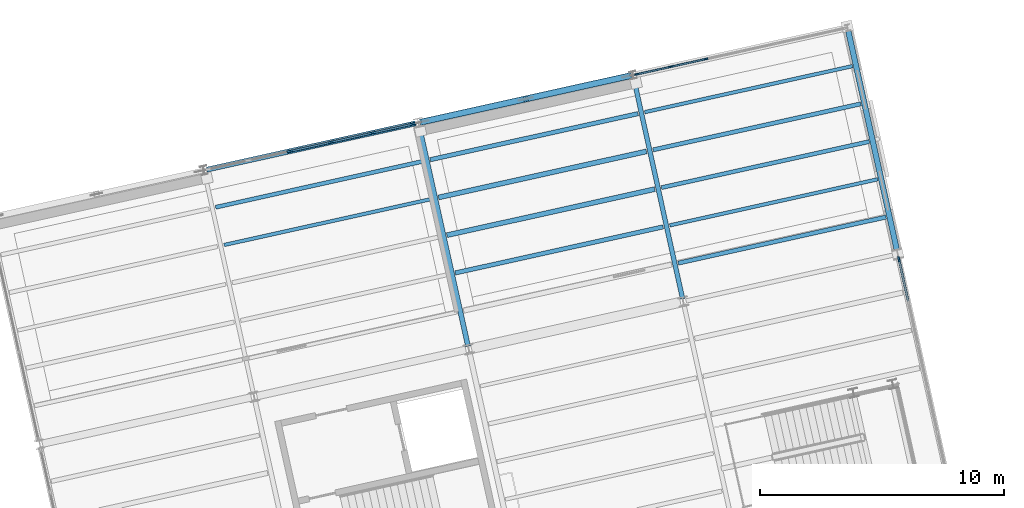
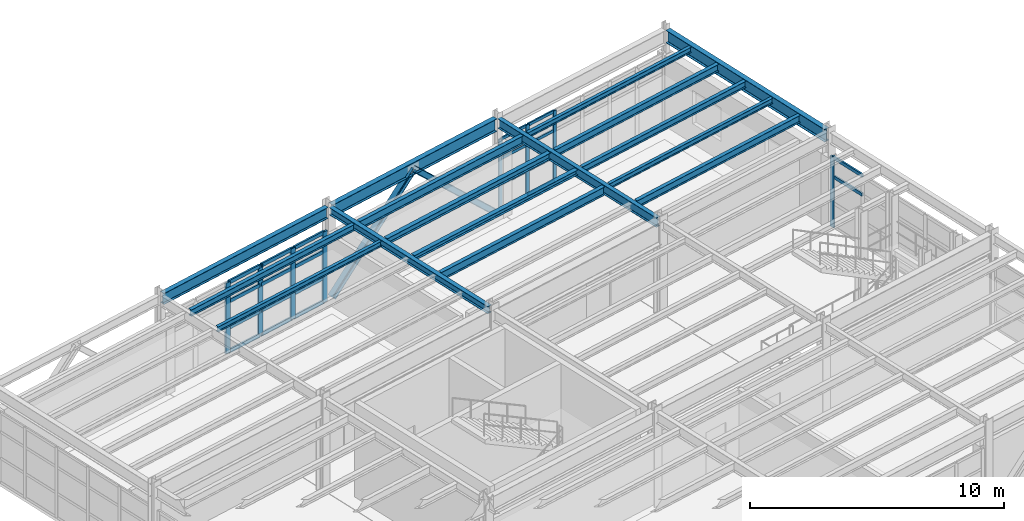
# One storey, part 62 of 109: 32 members, 16 beams, 3 elements without a shape of their own.
"""IFC4 building model written with IfcOpenShell, lengths in metres."""

from ifc_helpers import new_model, si_unit, direction, frame, origin, origin_2d, place, context, subcontext, project, spatial, rectangle, i_section, extrude, material, layer, layer_set, material_profile, profile_set, type_object, element, aggregate, save


model = new_model("IFC4")

# Units and contexts
model_context = context("Model", 3, precision=1e-05, world=origin(), true_north=direction((0.0, 1.0)))
body_context = subcontext(model_context, "Body", "Model", "MODEL_VIEW")
ifc_project = project(units=[si_unit("LENGTHUNIT", "METRE"), si_unit("AREAUNIT", "SQUARE_METRE"), si_unit("VOLUMEUNIT", "CUBIC_METRE"), si_unit("PLANEANGLEUNIT", "RADIAN"), si_unit("MASSUNIT", "GRAM", prefix="KILO")], contexts=[model_context])

# Site, building, storey
site_placement = place(None, origin())
site = spatial("IfcSite", under=ifc_project, at=site_placement, CompositionType="ELEMENT")
building_placement = place(site_placement, origin())
building = spatial("IfcBuilding", under=site, at=building_placement, Name="Vireo Bluff Cable Station", CompositionType="ELEMENT")
storey_placement = place(building_placement, frame((0.0, 0.0, 4.800048828125)))
storey = spatial("IfcBuildingStorey", under=building, at=storey_placement, Name="L01", CompositionType="ELEMENT", Elevation=4.800048828125)

# Beams
ifc_material_1 = material(Name="Steel ASTM A992 Gr. 50", Category="steel")
ifc_material_profile_1 = material_profile(ifc_material_1, i_section(OverallWidth=0.2041015625, OverallDepth=0.35009765625, WebThickness=0.008544921875, FlangeThickness=0.01513671875, FilletRadius=0.010009765625, at=origin_2d()), Name="W14X48")
ifc_profile_set_1 = profile_set([ifc_material_profile_1], Name="Steel ASTM A992 Gr. 50")
beam_type_1 = type_object("IfcBeamType", Name="BM-W14X48", PredefinedType="BEAM", material=ifc_profile_set_1)
beam_1_placement = place(storey_placement, frame((139.43505859375, 96.562744140625, 4.364990234375), z_axis=(-0.216455863908, 0.976292404447, 0.0), x_axis=(-0.976292404447, -0.216455863908, 0.0)))
element("IfcBeam", 1, at=beam_1_placement, inside=storey, type_object=beam_type_1, Name="V2 L01 beam 464", PredefinedType="BEAM", context=body_context, shape_type="SweptSolid", body=[
    extrude(i_section(OverallWidth=0.2041015625, OverallDepth=0.35009765625, WebThickness=0.008544921875, FlangeThickness=0.01513671875, FilletRadius=0.010009765625, at=origin_2d()), origin(), (0.0, 0.0, 1.0), 9.260009765625),
])
ifc_material_profile_2 = material_profile(ifc_material_1, i_section(OverallWidth=0.19091796875, OverallDepth=0.45703125, WebThickness=0.009033203125, FlangeThickness=0.014404296875, FilletRadius=0.011962890625, at=origin_2d()), Name="W18X50")
ifc_profile_set_2 = profile_set([ifc_material_profile_2], Name="Steel ASTM A992 Gr. 50")
beam_type_2 = type_object("IfcBeamType", Name="BM-W18X50", PredefinedType="BEAM", material=ifc_profile_set_2)
beam_2_placement = place(storey_placement, frame((148.2216796875, 98.5107421875, 4.3115234375), z_axis=(-0.216430734067, 0.976297975698, 0.0), x_axis=(-0.976297975698, -0.216430734067, 0.0)))
element("IfcBeam", 2, at=beam_2_placement, inside=storey, type_object=beam_type_2, Name="V2 L01 beam 467", PredefinedType="BEAM", context=body_context, shape_type="SweptSolid", body=[
    extrude(i_section(OverallWidth=0.19091796875, OverallDepth=0.45703125, WebThickness=0.009033203125, FlangeThickness=0.014404296875, FilletRadius=0.011962890625, at=origin_2d()), origin(), (0.0, 0.0, 1.0), 9.260009765625),
])

# Members
ifc_material_profile_3 = material_profile(ifc_material_1, i_section(OverallWidth=0.2548828125, OverallDepth=0.256103515625, WebThickness=0.009521484375, FlangeThickness=0.015625, FilletRadius=0.009033203125, at=origin_2d()), Name="W10X54")
ifc_profile_set_3 = profile_set([ifc_material_profile_3], Name="Steel ASTM A992 Gr. 50")
member_type_1 = type_object("IfcMemberType", Name="BRC-02", PredefinedType="BRACE", material=ifc_profile_set_3)
member_1_placement = place(storey_placement, frame((137.56103515625, 105.7548828125, 0.0400390625), z_axis=(0.706432249814, 0.156632169247, 0.69023172919), x_axis=(-0.216465840429, 0.976290192477, 0.0)))
element("IfcMember", 3, at=member_1_placement, inside=storey, type_object=member_type_1, Name="V2 L01 concentric brace 31L", PredefinedType="BRACE", context=body_context, shape_type="SweptSolid", body=[
    extrude(i_section(OverallWidth=0.2548828125, OverallDepth=0.256103515625, WebThickness=0.009521484375, FlangeThickness=0.015625, FilletRadius=0.009033203125, at=origin_2d()), origin(), (0.0, 0.0, 1.0), 5.997802734375),
])
ifc_material_profile_4 = material_profile(ifc_material_1, i_section(OverallWidth=0.257080078125, OverallDepth=0.263916015625, WebThickness=0.011962890625, FlangeThickness=0.01953125, FilletRadius=0.009033203125, at=origin_2d()), Name="W10X68")
ifc_profile_set_4 = profile_set([ifc_material_profile_4], Name="Steel ASTM A992 Gr. 50")
member_type_2 = type_object("IfcMemberType", Name="BRC-03", PredefinedType="BRACE", material=ifc_profile_set_4)
member_2_placement = place(storey_placement, frame((146.03515625, 107.6337890625, 0.0400390625), z_axis=(-0.706432249814, -0.156632169247, 0.69023172919), x_axis=(0.216465840429, -0.976290192477, 0.0)))
element("IfcMember", 4, at=member_2_placement, inside=storey, type_object=member_type_2, Name="V2 L01 concentric brace 32R", PredefinedType="BRACE", context=body_context, shape_type="SweptSolid", body=[
    extrude(i_section(OverallWidth=0.257080078125, OverallDepth=0.263916015625, WebThickness=0.011962890625, FlangeThickness=0.01953125, FilletRadius=0.009033203125, at=origin_2d()), origin(), (0.0, 0.0, 1.0), 5.997802734375),
])

# Curtain wall, members
ifc_material_2 = material(Name="Anodized Aluminium 6063-T6", Category="aluminium")
ifc_layer_1 = layer(ifc_material_2, 0.179931640625, Name="Anodized Aluminium 6063-T6")
ifc_layer_set_1 = layer_set([ifc_layer_1], Name="Anodized Aluminium 6063-T6")
curtain_wall_type_1 = type_object("IfcCurtainWallType", Name="CW-UNIT-1400", PredefinedType="USERDEFINED", material=ifc_layer_set_1)
curtain_wall_1_placement = place(storey_placement, origin())
curtain_wall_1 = element("IfcCurtainWall", 5, at=curtain_wall_1_placement, inside=storey, type_object=curtain_wall_type_1, Name="V2 L01 north curtain wall CW-048", ObjectType="UNITISED CURTAIN WALL", PredefinedType="USERDEFINED")
ifc_material_profile_5 = material_profile(ifc_material_2, rectangle(XDim=0.06494140625, YDim=0.179931640625, at=origin_2d()), Name="ALU-M-65X180")
ifc_profile_set_5 = profile_set([ifc_material_profile_5], Name="Anodized Aluminium 6063-T6")
member_type_3 = type_object("IfcMemberType", Name="CWM-01", PredefinedType="MULLION", material=ifc_profile_set_5)
member_3_placement = place(storey_placement, frame((146.34912109375, 107.703369140625, 0.0), z_axis=(0.0, 0.0, 1.0), x_axis=(-0.216439714557, 0.976295984813, 0.0)))
member_3 = element("IfcMember", 6, at=member_3_placement, type_object=member_type_3, Name="CW-048 mullion 1", PredefinedType="MULLION", context=body_context, shape_type="SweptSolid", body=[
    extrude(rectangle(XDim=0.06494140625, YDim=0.179931640625, at=origin_2d()), origin(), (0.0, 0.0, 1.0), 3.39990234375),
])
member_4_placement = place(storey_placement, frame((147.743896484375, 108.012451171875, 0.0), z_axis=(0.0, 0.0, 1.0), x_axis=(-0.216439714557, 0.976295984813, 0.0)))
member_4 = element("IfcMember", 7, at=member_4_placement, type_object=member_type_3, Name="CW-048 mullion 2", PredefinedType="MULLION", context=body_context, shape_type="SweptSolid", body=[
    extrude(rectangle(XDim=0.06494140625, YDim=0.179931640625, at=origin_2d()), origin(), (0.0, 0.0, 1.0), 3.39990234375),
])
member_5_placement = place(storey_placement, frame((149.17041015625, 108.32861328125, 0.0), z_axis=(0.0, 0.0, 1.0), x_axis=(-0.216439714557, 0.976295984813, 0.0)))
member_5 = element("IfcMember", 8, at=member_5_placement, type_object=member_type_3, Name="CW-048 mullion 3", PredefinedType="MULLION", context=body_context, shape_type="SweptSolid", body=[
    extrude(rectangle(XDim=0.06494140625, YDim=0.179931640625, at=origin_2d()), origin(), (0.0, 0.0, 1.0), 3.39990234375),
])

# Curtain wall, member
ifc_layer_2 = layer(ifc_material_2, 0.159912109375, Name="Anodized Aluminium 6063-T6")
ifc_layer_set_2 = layer_set([ifc_layer_2], Name="Anodized Aluminium 6063-T6")
curtain_wall_type_2 = type_object("IfcCurtainWallType", Name="CW-STICK-1850", PredefinedType="USERDEFINED", material=ifc_layer_set_2)
curtain_wall_2_placement = place(storey_placement, origin())
curtain_wall_2 = element("IfcCurtainWall", 9, at=curtain_wall_2_placement, inside=storey, type_object=curtain_wall_type_2, Name="V2 L01 east curtain wall CW-049", ObjectType="STICK CURTAIN WALL", PredefinedType="USERDEFINED")
ifc_material_profile_6 = material_profile(ifc_material_2, rectangle(XDim=0.074951171875, YDim=0.2099609375, at=origin_2d()), Name="ALU-M-75X210")
ifc_profile_set_6 = profile_set([ifc_material_profile_6], Name="Anodized Aluminium 6063-T6")
member_type_4 = type_object("IfcMemberType", Name="CWM-02", PredefinedType="MULLION", material=ifc_profile_set_6)
member_6_placement = place(storey_placement, frame((157.081787109375, 100.127197265625, 0.0), z_axis=(0.0, 0.0, 1.0), x_axis=(0.976296012711, 0.21643958872, 0.0)))
member_6 = element("IfcMember", 10, at=member_6_placement, type_object=member_type_4, Name="CW-049 mullion 1", PredefinedType="MULLION", context=body_context, shape_type="SweptSolid", body=[
    extrude(rectangle(XDim=0.074951171875, YDim=0.2099609375, at=origin_2d()), origin(), (0.0, 0.0, 1.0), 3.39990234375),
])

# Curtain wall, members
ifc_layer_3 = layer(ifc_material_2, 0.179931640625, Name="Anodized Aluminium 6063-T6")
ifc_layer_set_3 = layer_set([ifc_layer_3], Name="Anodized Aluminium 6063-T6")
curtain_wall_type_3 = type_object("IfcCurtainWallType", Name="CW-UNIT-1650", PredefinedType="USERDEFINED", material=ifc_layer_set_3)
curtain_wall_3_placement = place(storey_placement, origin())
curtain_wall_3 = element("IfcCurtainWall", 11, at=curtain_wall_3_placement, inside=storey, type_object=curtain_wall_type_3, Name="V2 L01 north curtain wall CW-047", ObjectType="UNITISED CURTAIN WALL", PredefinedType="USERDEFINED")
ifc_material_profile_7 = material_profile(ifc_material_2, rectangle(XDim=0.080078125, YDim=0.239990234375, at=origin_2d()), Name="ALU-M-80X240")
ifc_profile_set_7 = profile_set([ifc_material_profile_7], Name="Anodized Aluminium 6063-T6")
member_type_5 = type_object("IfcMemberType", Name="CWM-04", PredefinedType="MULLION", material=ifc_profile_set_7)
member_7_placement = place(storey_placement, frame((132.13623046875, 104.55224609375, 0.0), z_axis=(0.0, 0.0, 1.0), x_axis=(-0.21643962164, 0.976296005412, 0.0)))
member_7 = element("IfcMember", 12, at=member_7_placement, type_object=member_type_5, Name="CW-047 mullion 3", PredefinedType="MULLION", context=body_context, shape_type="SweptSolid", body=[
    extrude(rectangle(XDim=0.080078125, YDim=0.239990234375, at=origin_2d()), origin(), (0.0, 0.0, 1.0), 3.39990234375),
])
member_8_placement = place(storey_placement, frame((133.83154296875, 104.92822265625, 0.0), z_axis=(0.0, 0.0, 1.0), x_axis=(-0.21643962164, 0.976296005412, 0.0)))
member_8 = element("IfcMember", 13, at=member_8_placement, type_object=member_type_5, Name="CW-047 mullion 4", PredefinedType="MULLION", context=body_context, shape_type="SweptSolid", body=[
    extrude(rectangle(XDim=0.080078125, YDim=0.239990234375, at=origin_2d()), origin(), (0.0, 0.0, 1.0), 3.39990234375),
])
member_9_placement = place(storey_placement, frame((135.52685546875, 105.303955078125, 0.0), z_axis=(0.0, 0.0, 1.0), x_axis=(-0.21643962164, 0.976296005412, 0.0)))
member_9 = element("IfcMember", 14, at=member_9_placement, type_object=member_type_5, Name="CW-047 mullion 5", PredefinedType="MULLION", context=body_context, shape_type="SweptSolid", body=[
    extrude(rectangle(XDim=0.080078125, YDim=0.239990234375, at=origin_2d()), origin(), (0.0, 0.0, 1.0), 3.39990234375),
])
member_10_placement = place(storey_placement, frame((137.18310546875, 105.671142578125, 0.0), z_axis=(0.0, 0.0, 1.0), x_axis=(-0.21643962164, 0.976296005412, 0.0)))
member_10 = element("IfcMember", 15, at=member_10_placement, type_object=member_type_5, Name="CW-047 mullion 6", PredefinedType="MULLION", context=body_context, shape_type="SweptSolid", body=[
    extrude(rectangle(XDim=0.080078125, YDim=0.239990234375, at=origin_2d()), origin(), (0.0, 0.0, 1.0), 3.39990234375),
])

# Member
ifc_material_profile_8 = material_profile(ifc_material_2, rectangle(XDim=0.06494140625, YDim=0.139892578125, at=origin_2d()), Name="ALU-T-65X140")
ifc_profile_set_8 = profile_set([ifc_material_profile_8], Name="Anodized Aluminium 6063-T6")
member_type_6 = type_object("IfcMemberType", Name="CWT-01", PredefinedType="USERDEFINED", material=ifc_profile_set_8)
member_11_placement = place(storey_placement, frame((146.380859375, 107.710205078125, 0.032470703125), z_axis=(0.976292261403, 0.216456509084, 0.0), x_axis=(-0.216456509084, 0.976292261403, 0.0)))
member_11 = element("IfcMember", 16, at=member_11_placement, type_object=member_type_6, Name="CW-048 transom 1.1", ObjectType="TRANSOM", PredefinedType="USERDEFINED", context=body_context, shape_type="SweptSolid", body=[
    extrude(rectangle(XDim=0.06494140625, YDim=0.139892578125, at=origin_2d()), origin(), (0.0, 0.0, 1.0), 1.363525390625),
])

member_12_placement = place(storey_placement, frame((146.380859375, 107.710205078125, 1.18994140625), z_axis=(0.976292261403, 0.216456509084, 0.0), x_axis=(-0.216456509084, 0.976292261403, 0.0)))
member_12 = element("IfcMember", 17, at=member_12_placement, type_object=member_type_6, Name="CW-048 transom 1.2", ObjectType="TRANSOM", PredefinedType="USERDEFINED", context=body_context, shape_type="SweptSolid", body=[
    extrude(rectangle(XDim=0.06494140625, YDim=0.139892578125, at=origin_2d()), origin(), (0.0, 0.0, 1.0), 1.363525390625),
])

member_13_placement = place(storey_placement, frame((146.380859375, 107.710205078125, 2.447998046875), z_axis=(0.976292261403, 0.216456509084, 0.0), x_axis=(-0.216456509084, 0.976292261403, 0.0)))
member_13 = element("IfcMember", 18, at=member_13_placement, type_object=member_type_6, Name="CW-048 transom 1.3", ObjectType="TRANSOM", PredefinedType="USERDEFINED", context=body_context, shape_type="SweptSolid", body=[
    extrude(rectangle(XDim=0.06494140625, YDim=0.139892578125, at=origin_2d()), origin(), (0.0, 0.0, 1.0), 1.363525390625),
])

member_14_placement = place(storey_placement, frame((146.380859375, 107.710205078125, 3.367431640625), z_axis=(0.976292261403, 0.216456509084, 0.0), x_axis=(-0.216456509084, 0.976292261403, 0.0)))
member_14 = element("IfcMember", 19, at=member_14_placement, type_object=member_type_6, Name="CW-048 transom 1.4", ObjectType="TRANSOM", PredefinedType="USERDEFINED", context=body_context, shape_type="SweptSolid", body=[
    extrude(rectangle(XDim=0.06494140625, YDim=0.139892578125, at=origin_2d()), origin(), (0.0, 0.0, 1.0), 1.363525390625),
])

member_15_placement = place(storey_placement, frame((147.775634765625, 108.01953125, 0.032470703125), z_axis=(0.976285707795, 0.216486065959, 0.0), x_axis=(-0.216486065959, 0.976285707795, 0.0)))
member_15 = element("IfcMember", 20, at=member_15_placement, type_object=member_type_6, Name="CW-048 transom 2.1", ObjectType="TRANSOM", PredefinedType="USERDEFINED", context=body_context, shape_type="SweptSolid", body=[
    extrude(rectangle(XDim=0.06494140625, YDim=0.139892578125, at=origin_2d()), origin(), (0.0, 0.0, 1.0), 1.396240234375),
])

member_16_placement = place(storey_placement, frame((147.775634765625, 108.01953125, 1.18994140625), z_axis=(0.976285707795, 0.216486065959, 0.0), x_axis=(-0.216486065959, 0.976285707795, 0.0)))
member_16 = element("IfcMember", 21, at=member_16_placement, type_object=member_type_6, Name="CW-048 transom 2.2", ObjectType="TRANSOM", PredefinedType="USERDEFINED", context=body_context, shape_type="SweptSolid", body=[
    extrude(rectangle(XDim=0.06494140625, YDim=0.139892578125, at=origin_2d()), origin(), (0.0, 0.0, 1.0), 1.396240234375),
])

member_17_placement = place(storey_placement, frame((147.775634765625, 108.01953125, 2.447998046875), z_axis=(0.976285707795, 0.216486065959, 0.0), x_axis=(-0.216486065959, 0.976285707795, 0.0)))
member_17 = element("IfcMember", 22, at=member_17_placement, type_object=member_type_6, Name="CW-048 transom 2.3", ObjectType="TRANSOM", PredefinedType="USERDEFINED", context=body_context, shape_type="SweptSolid", body=[
    extrude(rectangle(XDim=0.06494140625, YDim=0.139892578125, at=origin_2d()), origin(), (0.0, 0.0, 1.0), 1.396240234375),
])

member_18_placement = place(storey_placement, frame((147.775634765625, 108.01953125, 3.367431640625), z_axis=(0.976285707795, 0.216486065959, 0.0), x_axis=(-0.216486065959, 0.976285707795, 0.0)))
member_18 = element("IfcMember", 23, at=member_18_placement, type_object=member_type_6, Name="CW-048 transom 2.4", ObjectType="TRANSOM", PredefinedType="USERDEFINED", context=body_context, shape_type="SweptSolid", body=[
    extrude(rectangle(XDim=0.06494140625, YDim=0.139892578125, at=origin_2d()), origin(), (0.0, 0.0, 1.0), 1.396240234375),
])

aggregate(curtain_wall_1, [member_3, member_4, member_5, member_11, member_12, member_13, member_14, member_15, member_16, member_17, member_18])

ifc_material_profile_9 = material_profile(ifc_material_2, rectangle(XDim=0.074951171875, YDim=0.159912109375, at=origin_2d()), Name="ALU-T-75X160")
ifc_profile_set_9 = profile_set([ifc_material_profile_9], Name="Anodized Aluminium 6063-T6")
member_type_7 = type_object("IfcMemberType", Name="CWT-02", PredefinedType="USERDEFINED", material=ifc_profile_set_9)
member_19_placement = place(storey_placement, frame((157.08984375, 100.090576171875, 2.447998046875), z_axis=(0.216417859301, -0.976300829753, 0.0), x_axis=(0.976300829753, 0.216417859301, 0.0)))
member_19 = element("IfcMember", 24, at=member_19_placement, type_object=member_type_7, Name="CW-049 transom 1.3", ObjectType="TRANSOM", PredefinedType="USERDEFINED", context=body_context, shape_type="SweptSolid", body=[
    extrude(rectangle(XDim=0.074951171875, YDim=0.159912109375, at=origin_2d()), origin(), (0.0, 0.0, 1.0), 1.714599609375),
])

member_20_placement = place(storey_placement, frame((157.08984375, 100.090576171875, 3.362548828125), z_axis=(0.216417859301, -0.976300829753, 0.0), x_axis=(0.976300829753, 0.216417859301, 0.0)))
member_20 = element("IfcMember", 25, at=member_20_placement, type_object=member_type_7, Name="CW-049 transom 1.4", ObjectType="TRANSOM", PredefinedType="USERDEFINED", context=body_context, shape_type="SweptSolid", body=[
    extrude(rectangle(XDim=0.074951171875, YDim=0.159912109375, at=origin_2d()), origin(), (0.0, 0.0, 1.0), 1.714599609375),
])

aggregate(curtain_wall_2, [member_6, member_19, member_20])

ifc_material_profile_10 = material_profile(ifc_material_2, rectangle(XDim=0.080078125, YDim=0.175048828125, at=origin_2d()), Name="ALU-T-80X175")
ifc_profile_set_10 = profile_set([ifc_material_profile_10], Name="Anodized Aluminium 6063-T6")
member_type_8 = type_object("IfcMemberType", Name="CWT-04", PredefinedType="USERDEFINED", material=ifc_profile_set_10)
member_21_placement = place(storey_placement, frame((132.17529296875, 104.56103515625, 0.0400390625), z_axis=(0.976311746565, 0.21636860567, 0.0), x_axis=(-0.21636860567, 0.976311746565, 0.0)))
member_21 = element("IfcMember", 26, at=member_21_placement, type_object=member_type_8, Name="CW-047 transom 3.1", ObjectType="TRANSOM", PredefinedType="USERDEFINED", context=body_context, shape_type="SweptSolid", body=[
    extrude(rectangle(XDim=0.080078125, YDim=0.175048828125, at=origin_2d()), origin(), (0.0, 0.0, 1.0), 1.656494140625),
])

member_22_placement = place(storey_placement, frame((132.17529296875, 104.56103515625, 1.18994140625), z_axis=(0.976311746565, 0.21636860567, 0.0), x_axis=(-0.21636860567, 0.976311746565, 0.0)))
member_22 = element("IfcMember", 27, at=member_22_placement, type_object=member_type_8, Name="CW-047 transom 3.2", ObjectType="TRANSOM", PredefinedType="USERDEFINED", context=body_context, shape_type="SweptSolid", body=[
    extrude(rectangle(XDim=0.080078125, YDim=0.175048828125, at=origin_2d()), origin(), (0.0, 0.0, 1.0), 1.656494140625),
])

member_23_placement = place(storey_placement, frame((132.17529296875, 104.56103515625, 2.447998046875), z_axis=(0.976311746565, 0.21636860567, 0.0), x_axis=(-0.21636860567, 0.976311746565, 0.0)))
member_23 = element("IfcMember", 28, at=member_23_placement, type_object=member_type_8, Name="CW-047 transom 3.3", ObjectType="TRANSOM", PredefinedType="USERDEFINED", context=body_context, shape_type="SweptSolid", body=[
    extrude(rectangle(XDim=0.080078125, YDim=0.175048828125, at=origin_2d()), origin(), (0.0, 0.0, 1.0), 1.656494140625),
])

member_24_placement = place(storey_placement, frame((132.17529296875, 104.56103515625, 3.35986328125), z_axis=(0.976311746565, 0.21636860567, 0.0), x_axis=(-0.21636860567, 0.976311746565, 0.0)))
member_24 = element("IfcMember", 29, at=member_24_placement, type_object=member_type_8, Name="CW-047 transom 3.4", ObjectType="TRANSOM", PredefinedType="USERDEFINED", context=body_context, shape_type="SweptSolid", body=[
    extrude(rectangle(XDim=0.080078125, YDim=0.175048828125, at=origin_2d()), origin(), (0.0, 0.0, 1.0), 1.656494140625),
])

member_25_placement = place(storey_placement, frame((133.87060546875, 104.936767578125, 0.0400390625), z_axis=(0.976280602301, 0.216509088886, 0.0), x_axis=(-0.216509088886, 0.976280602301, 0.0)))
member_25 = element("IfcMember", 30, at=member_25_placement, type_object=member_type_8, Name="CW-047 transom 4.1", ObjectType="TRANSOM", PredefinedType="USERDEFINED", context=body_context, shape_type="SweptSolid", body=[
    extrude(rectangle(XDim=0.080078125, YDim=0.175048828125, at=origin_2d()), origin(), (0.0, 0.0, 1.0), 1.656494140625),
])

member_26_placement = place(storey_placement, frame((133.87060546875, 104.936767578125, 1.18994140625), z_axis=(0.976280602301, 0.216509088886, 0.0), x_axis=(-0.216509088886, 0.976280602301, 0.0)))
member_26 = element("IfcMember", 31, at=member_26_placement, type_object=member_type_8, Name="CW-047 transom 4.2", ObjectType="TRANSOM", PredefinedType="USERDEFINED", context=body_context, shape_type="SweptSolid", body=[
    extrude(rectangle(XDim=0.080078125, YDim=0.175048828125, at=origin_2d()), origin(), (0.0, 0.0, 1.0), 1.656494140625),
])

member_27_placement = place(storey_placement, frame((133.87060546875, 104.936767578125, 2.447998046875), z_axis=(0.976280602301, 0.216509088886, 0.0), x_axis=(-0.216509088886, 0.976280602301, 0.0)))
member_27 = element("IfcMember", 32, at=member_27_placement, type_object=member_type_8, Name="CW-047 transom 4.3", ObjectType="TRANSOM", PredefinedType="USERDEFINED", context=body_context, shape_type="SweptSolid", body=[
    extrude(rectangle(XDim=0.080078125, YDim=0.175048828125, at=origin_2d()), origin(), (0.0, 0.0, 1.0), 1.656494140625),
])

member_28_placement = place(storey_placement, frame((133.87060546875, 104.936767578125, 3.35986328125), z_axis=(0.976280602301, 0.216509088886, 0.0), x_axis=(-0.216509088886, 0.976280602301, 0.0)))
member_28 = element("IfcMember", 33, at=member_28_placement, type_object=member_type_8, Name="CW-047 transom 4.4", ObjectType="TRANSOM", PredefinedType="USERDEFINED", context=body_context, shape_type="SweptSolid", body=[
    extrude(rectangle(XDim=0.080078125, YDim=0.175048828125, at=origin_2d()), origin(), (0.0, 0.0, 1.0), 1.656494140625),
])

member_29_placement = place(storey_placement, frame((135.56591796875, 105.312744140625, 0.0400390625), z_axis=(0.976297101781, 0.216434676184, 0.0), x_axis=(-0.216434676184, 0.976297101781, 0.0)))
member_29 = element("IfcMember", 34, at=member_29_placement, type_object=member_type_8, Name="CW-047 transom 5.1", ObjectType="TRANSOM", PredefinedType="USERDEFINED", context=body_context, shape_type="SweptSolid", body=[
    extrude(rectangle(XDim=0.080078125, YDim=0.175048828125, at=origin_2d()), origin(), (0.0, 0.0, 1.0), 1.616455078125),
])

member_30_placement = place(storey_placement, frame((135.56591796875, 105.312744140625, 1.18994140625), z_axis=(0.976297101781, 0.216434676184, 0.0), x_axis=(-0.216434676184, 0.976297101781, 0.0)))
member_30 = element("IfcMember", 35, at=member_30_placement, type_object=member_type_8, Name="CW-047 transom 5.2", ObjectType="TRANSOM", PredefinedType="USERDEFINED", context=body_context, shape_type="SweptSolid", body=[
    extrude(rectangle(XDim=0.080078125, YDim=0.175048828125, at=origin_2d()), origin(), (0.0, 0.0, 1.0), 1.616455078125),
])

member_31_placement = place(storey_placement, frame((135.56591796875, 105.312744140625, 2.447998046875), z_axis=(0.976297101781, 0.216434676184, 0.0), x_axis=(-0.216434676184, 0.976297101781, 0.0)))
member_31 = element("IfcMember", 36, at=member_31_placement, type_object=member_type_8, Name="CW-047 transom 5.3", ObjectType="TRANSOM", PredefinedType="USERDEFINED", context=body_context, shape_type="SweptSolid", body=[
    extrude(rectangle(XDim=0.080078125, YDim=0.175048828125, at=origin_2d()), origin(), (0.0, 0.0, 1.0), 1.616455078125),
])

member_32_placement = place(storey_placement, frame((135.56591796875, 105.312744140625, 3.35986328125), z_axis=(0.976297101781, 0.216434676184, 0.0), x_axis=(-0.216434676184, 0.976297101781, 0.0)))
member_32 = element("IfcMember", 37, at=member_32_placement, type_object=member_type_8, Name="CW-047 transom 5.4", ObjectType="TRANSOM", PredefinedType="USERDEFINED", context=body_context, shape_type="SweptSolid", body=[
    extrude(rectangle(XDim=0.080078125, YDim=0.175048828125, at=origin_2d()), origin(), (0.0, 0.0, 1.0), 1.616455078125),
])

aggregate(curtain_wall_3, [member_7, member_8, member_9, member_10, member_21, member_22, member_23, member_24, member_25, member_26, member_27, member_28, member_29, member_30, member_31, member_32])

# Beams
ifc_material_profile_11 = material_profile(ifc_material_1, i_section(OverallWidth=0.14599609375, OverallDepth=0.259033203125, WebThickness=0.006103515625, FlangeThickness=0.009033203125, FilletRadius=0.009033203125, at=origin_2d()), Name="W10X22")
ifc_profile_set_11 = profile_set([ifc_material_profile_11], Name="Steel ASTM A992 Gr. 50")
beam_type_3 = type_object("IfcBeamType", Name="JST-W10X22", PredefinedType="JOIST", material=ifc_profile_set_11)
for number, where, z_axis, x_axis, name in (
    (38, (129.440185546875, 100.711181640625, 4.410400390625), (0.976300234484, 0.216420544652, 0.0), (-0.216420544652, 0.976300234484, 0.0), "V2 L01 composite joist 494"),
    (39, (147.698974609375, 101.515380859375, 4.410400390625), (0.976293006815, 0.216453146994, 0.0), (-0.216453146994, 0.976293006815, 0.0), "V2 L01 composite joist 520"),
    (40, (146.6708984375, 106.15283203125, 4.410400390625), (0.976298923088, 0.216426460438, 0.0), (-0.216426460438, 0.976298923088, 0.0), "V2 L01 composite joist 523"),
):
    element("IfcBeam", number, at=place(storey_placement, frame(where, z_axis=z_axis, x_axis=x_axis)), inside=storey, type_object=beam_type_3, Name=name, PredefinedType="JOIST", context=body_context, shape_type="SweptSolid", body=[
        extrude(i_section(OverallWidth=0.14599609375, OverallDepth=0.259033203125, WebThickness=0.006103515625, FlangeThickness=0.009033203125, FilletRadius=0.009033203125, at=origin_2d()), origin(), (0.0, 0.0, 1.0), 8.719970703125),
    ])
ifc_material_profile_12 = material_profile(ifc_material_1, i_section(OverallWidth=0.201904296875, OverallDepth=0.2470703125, WebThickness=0.00732421875, FlangeThickness=0.010986328125, FilletRadius=0.009033203125, at=origin_2d()), Name="W10X33")
ifc_profile_set_12 = profile_set([ifc_material_profile_12], Name="Steel ASTM A992 Gr. 50")
beam_type_4 = type_object("IfcBeamType", Name="JST-W10X33", PredefinedType="JOIST", material=ifc_profile_set_12)
beam_3_placement = place(storey_placement, frame((138.569580078125, 101.11328125, 4.41650390625), z_axis=(0.976298923088, 0.216426460438, 0.0), x_axis=(-0.216426460438, 0.976298923088, 0.0)))
element("IfcBeam", 41, at=beam_3_placement, inside=storey, type_object=beam_type_4, Name="V2 L01 composite joist 508", PredefinedType="JOIST", context=body_context, shape_type="SweptSolid", body=[
    extrude(i_section(OverallWidth=0.201904296875, OverallDepth=0.2470703125, WebThickness=0.00732421875, FlangeThickness=0.010986328125, FilletRadius=0.009033203125, at=origin_2d()), origin(), (0.0, 0.0, 1.0), 8.719970703125),
])
ifc_material_profile_13 = material_profile(ifc_material_1, i_section(OverallWidth=0.1650390625, OverallDepth=0.31005859375, WebThickness=0.005859375, FlangeThickness=0.009765625, FilletRadius=0.010009765625, at=origin_2d()), Name="W12X26")
ifc_profile_set_13 = profile_set([ifc_material_profile_13], Name="Steel ASTM A992 Gr. 50")
beam_type_5 = type_object("IfcBeamType", Name="JST-W12X26", PredefinedType="JOIST", material=ifc_profile_set_13)
beam_4_placement = place(storey_placement, frame((129.097412109375, 102.2568359375, 4.385009765625), z_axis=(0.976294318526, 0.216447230551, 0.0), x_axis=(-0.216447230551, 0.976294318526, 0.0)))
element("IfcBeam", 42, at=beam_4_placement, inside=storey, type_object=beam_type_5, Name="V2 L01 composite joist 495", PredefinedType="JOIST", context=body_context, shape_type="SweptSolid", body=[
    extrude(i_section(OverallWidth=0.1650390625, OverallDepth=0.31005859375, WebThickness=0.005859375, FlangeThickness=0.009765625, FilletRadius=0.010009765625, at=origin_2d()), origin(), (0.0, 0.0, 1.0), 8.72021484375),
])
beam_5_placement = place(storey_placement, frame((147.356201171875, 103.061279296875, 4.385009765625), z_axis=(0.976300234484, 0.216420544652, 0.0), x_axis=(-0.216420544652, 0.976300234484, 0.0)))
element("IfcBeam", 43, at=beam_5_placement, inside=storey, type_object=beam_type_5, Name="V2 L01 composite joist 521", PredefinedType="JOIST", context=body_context, shape_type="SweptSolid", body=[
    extrude(i_section(OverallWidth=0.1650390625, OverallDepth=0.31005859375, WebThickness=0.005859375, FlangeThickness=0.009765625, FilletRadius=0.010009765625, at=origin_2d()), origin(), (0.0, 0.0, 1.0), 8.719970703125),
])
ifc_material_profile_14 = material_profile(ifc_material_1, i_section(OverallWidth=0.202880859375, OverallDepth=0.302978515625, WebThickness=0.007568359375, FlangeThickness=0.01318359375, FilletRadius=0.010009765625, at=origin_2d()), Name="W12X40")
ifc_profile_set_14 = profile_set([ifc_material_profile_14], Name="Steel ASTM A992 Gr. 50")
beam_type_6 = type_object("IfcBeamType", Name="JST-W12X40", PredefinedType="JOIST", material=ifc_profile_set_14)
beam_6_placement = place(storey_placement, frame((138.226806640625, 102.658935546875, 4.388427734375), z_axis=(0.976294318526, 0.216447230551, 0.0), x_axis=(-0.216447230551, 0.976294318526, 0.0)))
element("IfcBeam", 44, at=beam_6_placement, inside=storey, type_object=beam_type_6, Name="V2 L01 composite joist 509", PredefinedType="JOIST", context=body_context, shape_type="SweptSolid", body=[
    extrude(i_section(OverallWidth=0.202880859375, OverallDepth=0.302978515625, WebThickness=0.007568359375, FlangeThickness=0.01318359375, FilletRadius=0.010009765625, at=origin_2d()), origin(), (0.0, 0.0, 1.0), 8.72021484375),
])
ifc_material_profile_15 = material_profile(ifc_material_1, i_section(OverallWidth=0.1708984375, OverallDepth=0.35107421875, WebThickness=0.0068359375, FlangeThickness=0.009765625, FilletRadius=0.010009765625, at=origin_2d()), Name="W14X30")
ifc_profile_set_15 = profile_set([ifc_material_profile_15], Name="Steel ASTM A992 Gr. 50")
beam_type_7 = type_object("IfcBeamType", Name="JST-W14X30", PredefinedType="JOIST", material=ifc_profile_set_15)
for number, where, z_axis, x_axis, name in (
    (45, (148.04150390625, 99.969482421875, 4.364501953125), (0.976294318526, 0.216447230551, 0.0), (-0.216447230551, 0.976294318526, 0.0), "V2 L01 composite joist 519"),
    (46, (147.013427734375, 104.60693359375, 4.364501953125), (0.976294318526, 0.216447230551, 0.0), (-0.216447230551, 0.976294318526, 0.0), "V2 L01 composite joist 522"),
):
    element("IfcBeam", number, at=place(storey_placement, frame(where, z_axis=z_axis, x_axis=x_axis)), inside=storey, type_object=beam_type_7, Name=name, PredefinedType="JOIST", context=body_context, shape_type="SweptSolid", body=[
        extrude(i_section(OverallWidth=0.1708984375, OverallDepth=0.35107421875, WebThickness=0.0068359375, FlangeThickness=0.009765625, FilletRadius=0.010009765625, at=origin_2d()), origin(), (0.0, 0.0, 1.0), 8.72021484375),
    ])
ifc_material_profile_16 = material_profile(ifc_material_1, i_section(OverallWidth=0.177978515625, OverallDepth=0.404052734375, WebThickness=0.007568359375, FlangeThickness=0.010986328125, FilletRadius=0.010009765625, at=origin_2d()), Name="W16X36")
ifc_profile_set_16 = profile_set([ifc_material_profile_16], Name="Steel ASTM A992 Gr. 50")
beam_type_8 = type_object("IfcBeamType", Name="JST-W16X36", PredefinedType="JOIST", material=ifc_profile_set_16)
for number, where, z_axis, x_axis, name in (
    (47, (138.912353515625, 99.5673828125, 4.337890625), (0.976293006815, 0.216453146994, 0.0), (-0.216453146994, 0.976293006815, 0.0), "V2 L01 composite joist 507"),
    (48, (137.88427734375, 104.204833984375, 4.337890625), (0.976293006815, 0.216453146994, 0.0), (-0.216453146994, 0.976293006815, 0.0), "V2 L01 composite joist 510"),
):
    element("IfcBeam", number, at=place(storey_placement, frame(where, z_axis=z_axis, x_axis=x_axis)), inside=storey, type_object=beam_type_8, Name=name, PredefinedType="JOIST", context=body_context, shape_type="SweptSolid", body=[
        extrude(i_section(OverallWidth=0.177978515625, OverallDepth=0.404052734375, WebThickness=0.007568359375, FlangeThickness=0.010986328125, FilletRadius=0.010009765625, at=origin_2d()), origin(), (0.0, 0.0, 1.0), 8.719970703125),
    ])
ifc_material_profile_17 = material_profile(ifc_material_1, i_section(OverallWidth=0.2099609375, OverallDepth=0.535888671875, WebThickness=0.010986328125, FlangeThickness=0.017333984375, FilletRadius=0.012939453125, at=origin_2d()), Name="W21X68")
ifc_profile_set_17 = profile_set([ifc_material_profile_17], Name="Steel ASTM A992 Gr. 50")
beam_type_9 = type_object("IfcBeamType", Name="SPN-W21X68", PredefinedType="SPANDREL", material=ifc_profile_set_17)
beam_7_placement = place(storey_placement, frame((128.7353515625, 103.79833984375, 4.27197265625), z_axis=(0.976295795297, 0.216440569406, 0.0), x_axis=(-0.216440569406, 0.976295795297, 0.0)))
element("IfcBeam", 49, at=beam_7_placement, inside=storey, type_object=beam_type_9, Name="V2 L01 spandrel 453", PredefinedType="SPANDREL", context=body_context, shape_type="SweptSolid", body=[
    extrude(i_section(OverallWidth=0.2099609375, OverallDepth=0.535888671875, WebThickness=0.010986328125, FlangeThickness=0.017333984375, FilletRadius=0.012939453125, at=origin_2d()), origin(), (0.0, 0.0, 1.0), 8.760009765625),
])
ifc_material_profile_18 = material_profile(ifc_material_1, i_section(OverallWidth=0.22802734375, OverallDepth=0.60693359375, WebThickness=0.01123046875, FlangeThickness=0.017333984375, FilletRadius=0.012939453125, at=origin_2d()), Name="W24X76")
ifc_profile_set_18 = profile_set([ifc_material_profile_18], Name="Steel ASTM A992 Gr. 50")
beam_type_10 = type_object("IfcBeamType", Name="SPN-W24X76", PredefinedType="SPANDREL", material=ifc_profile_set_18)
beam_8_placement = place(storey_placement, frame((137.52197265625, 105.746337890625, 4.236572265625), z_axis=(0.976295795297, 0.216440569406, 0.0), x_axis=(-0.216440569406, 0.976295795297, 0.0)))
element("IfcBeam", 50, at=beam_8_placement, inside=storey, type_object=beam_type_10, Name="V2 L01 spandrel 454", PredefinedType="SPANDREL", context=body_context, shape_type="SweptSolid", body=[
    extrude(i_section(OverallWidth=0.22802734375, OverallDepth=0.60693359375, WebThickness=0.01123046875, FlangeThickness=0.017333984375, FilletRadius=0.012939453125, at=origin_2d()), origin(), (0.0, 0.0, 1.0), 8.760009765625),
])
beam_9_placement = place(storey_placement, frame((157.00830078125, 100.45849609375, 4.236572265625), z_axis=(-0.216430734067, 0.976297975698, 0.0), x_axis=(-0.976297975698, -0.216430734067, 0.0)))
element("IfcBeam", 51, at=beam_9_placement, inside=storey, type_object=beam_type_10, Name="V2 L01 spandrel 470", PredefinedType="SPANDREL", context=body_context, shape_type="SweptSolid", body=[
    extrude(i_section(OverallWidth=0.22802734375, OverallDepth=0.60693359375, WebThickness=0.01123046875, FlangeThickness=0.017333984375, FilletRadius=0.012939453125, at=origin_2d()), origin(), (0.0, 0.0, 1.0), 9.260009765625),
])

save(model, "model.ifc")
